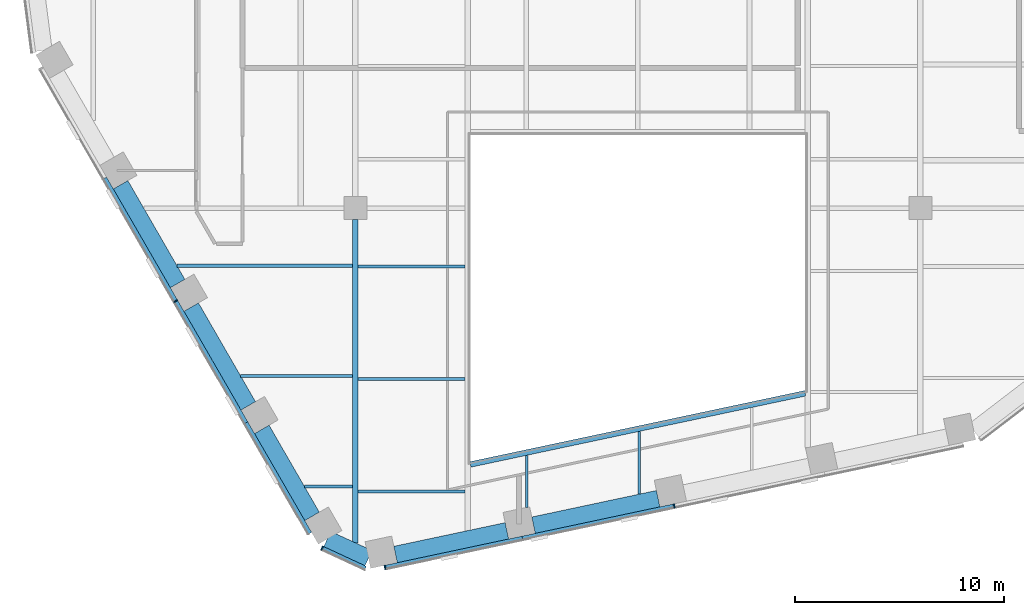
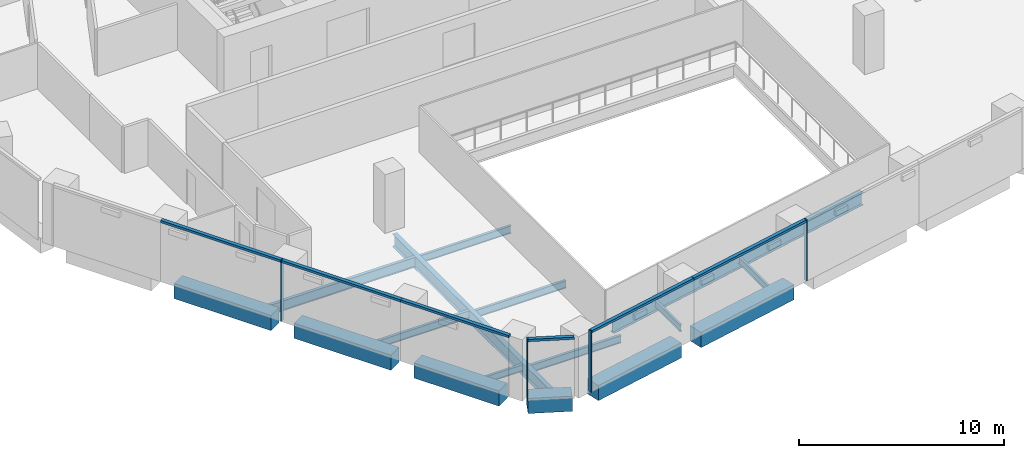
# One storey, part 2 of 17: 16 beams, 10 members, 3 elements without a shape of their own.
"""IFC4 building model written with IfcOpenShell, lengths in metres."""

from ifc_helpers import new_model, si_unit, direction, frame, origin, origin_2d, place, context, subcontext, project, spatial, rectangle, i_section, extrude, material, layer, layer_set, material_profile, profile_set, type_object, element, aggregate, save


model = new_model("IFC4")

# Units and contexts
model_context = context("Model", 3, precision=1e-05, world=origin(), true_north=direction((0.0, 1.0)))
body_context = subcontext(model_context, "Body", "Model", "MODEL_VIEW")
ifc_project = project(units=[si_unit("LENGTHUNIT", "METRE"), si_unit("AREAUNIT", "SQUARE_METRE"), si_unit("VOLUMEUNIT", "CUBIC_METRE"), si_unit("PLANEANGLEUNIT", "RADIAN"), si_unit("MASSUNIT", "GRAM", prefix="KILO")], contexts=[model_context])

# Site, building, storey
site_placement = place(None, origin())
site = spatial("IfcSite", under=ifc_project, at=site_placement, CompositionType="ELEMENT")
building_placement = place(site_placement, origin())
building = spatial("IfcBuilding", under=site, at=building_placement, Name="Isthmus Gate Tower", CompositionType="ELEMENT")
storey_placement = place(building_placement, frame((0.0, 0.0, 200.0)))
storey = spatial("IfcBuildingStorey", under=building, at=storey_placement, Name="L50", CompositionType="ELEMENT", Elevation=200.0)

# Curtain wall, member
ifc_material_1 = material(Name="Aluminium, pale champagne anodised", Category="aluminium")
ifc_layer = layer(ifc_material_1, 0.199951171875)
ifc_layer_set = layer_set([ifc_layer], Name="CW-1 UNITISED CURTAIN WALL 200 DEEP")
curtain_wall_type = type_object("IfcCurtainWallType", Name="CW-1 UNITISED CURTAIN WALL 200 DEEP", PredefinedType="NOTDEFINED", material=ifc_layer_set)
curtain_wall_1_placement = place(storey_placement, origin())
curtain_wall_1 = element("IfcCurtainWall", 1, at=curtain_wall_1_placement, inside=storey, type_object=curtain_wall_type, Name="CW-1 SW L50", PredefinedType="NOTDEFINED")
ifc_material_2 = material(Name="Aluminium, pale champagne anodised", Category="aluminium")
ifc_material_profile_1 = material_profile(ifc_material_2, rectangle(XDim=0.06005859375, YDim=0.199951171875, at=origin_2d()), Name="60x200")
ifc_profile_set_1 = profile_set([ifc_material_profile_1], Name="Aluminium, pale champagne anodised")
member_type_1 = type_object("IfcMemberType", Name="CW-1 MULLION 60 X 200", PredefinedType="MULLION", material=ifc_profile_set_1)
member_1_placement = place(storey_placement, frame((-22.08935546875, -17.93994140625, 0.0), z_axis=(0.0, 0.0, 1.0), x_axis=(0.5, -0.866025403784, 0.0)))
member_1 = element("IfcMember", 2, at=member_1_placement, type_object=member_type_1, Name="CW-1 mullion", PredefinedType="MULLION", context=body_context, shape_type="SweptSolid", body=[
    extrude(rectangle(XDim=0.06005859375, YDim=0.199951171875, at=origin_2d()), origin(), (0.0, 0.0, 1.0), 3.64990234375),
])

curtain_wall_2_placement = place(storey_placement, origin())
curtain_wall_2 = element("IfcCurtainWall", 3, at=curtain_wall_2_placement, inside=storey, type_object=curtain_wall_type, Name="CW-1 SW-S L50", PredefinedType="NOTDEFINED")
member_2_placement = place(storey_placement, frame((-15.091064453125, -29.74755859375, 0.0), z_axis=(0.0, 0.0, 1.0), x_axis=(0.907256261367, -0.420578264073, 0.0)))
member_2 = element("IfcMember", 4, at=member_2_placement, type_object=member_type_1, Name="CW-1 mullion", PredefinedType="MULLION", context=body_context, shape_type="SweptSolid", body=[
    extrude(rectangle(XDim=0.06005859375, YDim=0.199951171875, at=origin_2d()), origin(), (0.0, 0.0, 1.0), 3.64990234375),
])

# Curtain wall, members
curtain_wall_3_placement = place(storey_placement, origin())
curtain_wall_3 = element("IfcCurtainWall", 5, at=curtain_wall_3_placement, inside=storey, type_object=curtain_wall_type, Name="CW-1 S L50", PredefinedType="NOTDEFINED")
member_3_placement = place(storey_placement, frame((-12.082763671875, -30.67041015625, 0.0), z_axis=(0.0, 0.0, 1.0), x_axis=(0.978147600734, 0.207911690818, 0.0)))
member_3 = element("IfcMember", 6, at=member_3_placement, type_object=member_type_1, Name="CW-1 mullion", PredefinedType="MULLION", context=body_context, shape_type="SweptSolid", body=[
    extrude(rectangle(XDim=0.06005859375, YDim=0.199951171875, at=origin_2d()), origin(), (0.0, 0.0, 1.0), 3.64990234375),
])
member_4_placement = place(storey_placement, frame((1.740234375, -27.732421875, 0.0), z_axis=(0.0, 0.0, 1.0), x_axis=(0.978147600734, 0.207911690818, 0.0)))
member_4 = element("IfcMember", 7, at=member_4_placement, type_object=member_type_1, Name="CW-1 mullion", PredefinedType="MULLION", context=body_context, shape_type="SweptSolid", body=[
    extrude(rectangle(XDim=0.06005859375, YDim=0.199951171875, at=origin_2d()), origin(), (0.0, 0.0, 1.0), 3.64990234375),
])

# Member
ifc_material_3 = material(Name="Aluminium, pale champagne anodised", Category="aluminium")
ifc_material_profile_2 = material_profile(ifc_material_3, rectangle(XDim=0.199951171875, YDim=0.139892578125, at=origin_2d()), Name="200x140")
ifc_profile_set_2 = profile_set([ifc_material_profile_2], Name="Aluminium, pale champagne anodised")
member_type_2 = type_object("IfcMemberType", Name="CW-1 TRANSOM 200 X 140", PredefinedType="USERDEFINED", material=ifc_profile_set_2)
member_5_placement = place(storey_placement, frame((-25.4794921875, -12.068115234375, 3.580078125), z_axis=(0.49998230858, -0.86603561769, 0.0), x_axis=(0.86603561769, 0.49998230858, 0.0)))
member_5 = element("IfcMember", 8, at=member_5_placement, type_object=member_type_2, Name="CW-1 transom", ObjectType="TRANSOM", PredefinedType="USERDEFINED", context=body_context, shape_type="SweptSolid", body=[
    extrude(rectangle(XDim=0.199951171875, YDim=0.139892578125, at=origin_2d()), origin(), (0.0, 0.0, 1.0), 6.750244140625),
])

member_6_placement = place(storey_placement, frame((-22.074462890625, -17.9658203125, 3.580078125), z_axis=(0.499981482168, -0.866036094796, 0.0), x_axis=(0.866036094796, 0.499981482168, 0.0)))
member_6 = element("IfcMember", 9, at=member_6_placement, type_object=member_type_2, Name="CW-1 transom", ObjectType="TRANSOM", PredefinedType="USERDEFINED", context=body_context, shape_type="SweptSolid", body=[
    extrude(rectangle(XDim=0.199951171875, YDim=0.139892578125, at=origin_2d()), origin(), (0.0, 0.0, 1.0), 6.690185546875),
])

member_7_placement = place(storey_placement, frame((-18.7294921875, -23.759765625, 3.580078125), z_axis=(0.499991521122, -0.866030299012, 0.0), x_axis=(0.866030299012, 0.499991521122, 0.0)))
member_7 = element("IfcMember", 10, at=member_7_placement, type_object=member_type_2, Name="CW-1 transom", ObjectType="TRANSOM", PredefinedType="USERDEFINED", context=body_context, shape_type="SweptSolid", body=[
    extrude(rectangle(XDim=0.199951171875, YDim=0.139892578125, at=origin_2d()), origin(), (0.0, 0.0, 1.0), 6.10009765625),
])

aggregate(curtain_wall_1, [member_5, member_1, member_6, member_7])

member_8_placement = place(storey_placement, frame((-15.06396484375, -29.76025390625, 3.580078125), z_axis=(0.907246225564, -0.420599912268, 0.0), x_axis=(0.420599912268, 0.907246225564, 0.0)))
member_8 = element("IfcMember", 11, at=member_8_placement, type_object=member_type_2, Name="CW-1 transom", ObjectType="TRANSOM", PredefinedType="USERDEFINED", context=body_context, shape_type="SweptSolid", body=[
    extrude(rectangle(XDim=0.199951171875, YDim=0.139892578125, at=origin_2d()), origin(), (0.0, 0.0, 1.0), 2.258544921875),
])

aggregate(curtain_wall_2, [member_2, member_8])

member_9_placement = place(storey_placement, frame((-12.05322265625, -30.664306640625, 3.580078125), z_axis=(0.97814231579, 0.207936552972, 0.0), x_axis=(-0.207936552972, 0.97814231579, 0.0)))
member_9 = element("IfcMember", 12, at=member_9_placement, type_object=member_type_2, Name="CW-1 transom", ObjectType="TRANSOM", PredefinedType="USERDEFINED", context=body_context, shape_type="SweptSolid", body=[
    extrude(rectangle(XDim=0.199951171875, YDim=0.139892578125, at=origin_2d()), origin(), (0.0, 0.0, 1.0), 6.6806640625),
])

member_10_placement = place(storey_placement, frame((-5.5185546875, -29.275146484375, 3.580078125), z_axis=(0.978147683684, 0.207911300568, 0.0), x_axis=(-0.207911300568, 0.978147683684, 0.0)))
member_10 = element("IfcMember", 13, at=member_10_placement, type_object=member_type_2, Name="CW-1 transom", ObjectType="TRANSOM", PredefinedType="USERDEFINED", context=body_context, shape_type="SweptSolid", body=[
    extrude(rectangle(XDim=0.199951171875, YDim=0.139892578125, at=origin_2d()), origin(), (0.0, 0.0, 1.0), 7.390869140625),
])

aggregate(curtain_wall_3, [member_3, member_9, member_10, member_4])

# Beams
ifc_material_4 = material(Name="Concrete f'c 60 MPa", Category="concrete")
ifc_material_profile_3 = material_profile(ifc_material_4, rectangle(XDim=0.800048828125, YDim=0.89990234375, at=origin_2d()), Name="RC 800X900")
ifc_profile_set_3 = profile_set([ifc_material_profile_3], Name="Concrete f'c 60 MPa")
beam_type_1 = type_object("IfcBeamType", Name="RC SPANDREL 800 X 900", PredefinedType="SPANDREL", material=ifc_profile_set_3)
beam_1_placement = place(storey_placement, frame((0.970947265625, -27.384765625, -0.449951171875), z_axis=(-0.978146012851, -0.207919161079, 0.0), x_axis=(0.207919161079, -0.978146012851, 0.0)))
element("IfcBeam", 14, at=beam_1_placement, inside=storey, type_object=beam_type_1, Name="str-spandrel-L50-13", PredefinedType="SPANDREL", context=body_context, shape_type="SweptSolid", body=[
    extrude(rectangle(XDim=0.800048828125, YDim=0.89990234375, at=origin_2d()), origin(), (0.0, 0.0, 1.0), 6.090576171875),
])
beam_2_placement = place(storey_placement, frame((-6.25830078125, -28.92138671875, -0.449951171875), z_axis=(-0.978150410773, -0.207898470186, 0.0), x_axis=(0.207898470186, -0.978150410773, 0.0)))
element("IfcBeam", 15, at=beam_2_placement, inside=storey, type_object=beam_type_1, Name="str-spandrel-L50-14", PredefinedType="SPANDREL", context=body_context, shape_type="SweptSolid", body=[
    extrude(rectangle(XDim=0.800048828125, YDim=0.89990234375, at=origin_2d()), origin(), (0.0, 0.0, 1.0), 5.440673828125),
])
beam_3_placement = place(storey_placement, frame((-12.87255859375, -30.224853515625, -0.449951171875), z_axis=(-0.907290744498, 0.420503870314, 0.0), x_axis=(-0.420503870314, -0.907290744498, 0.0)))
element("IfcBeam", 16, at=beam_3_placement, inside=storey, type_object=beam_type_1, Name="str-spandrel-L50-15", PredefinedType="SPANDREL", context=body_context, shape_type="SweptSolid", body=[
    extrude(rectangle(XDim=0.800048828125, YDim=0.89990234375, at=origin_2d()), origin(), (0.0, 0.0, 1.0), 2.173095703125),
])
beam_4_placement = place(storey_placement, frame((-15.5712890625, -28.229736328125, -0.449951171875), z_axis=(-0.500017431331, 0.866015339567, 0.0), x_axis=(-0.866015339567, -0.500017431331, 0.0)))
element("IfcBeam", 17, at=beam_4_placement, inside=storey, type_object=beam_type_1, Name="str-spandrel-L50-16", PredefinedType="SPANDREL", context=body_context, shape_type="SweptSolid", body=[
    extrude(rectangle(XDim=0.800048828125, YDim=0.89990234375, at=origin_2d()), origin(), (0.0, 0.0, 1.0), 4.800048828125),
])
for number, where, z_axis, x_axis, name in (
    (18, (-18.621337890625, -22.94677734375, -0.449951171875), (-0.500002931134, 0.866023711487, 0.0), (-0.866023711487, -0.500002931134, 0.0), "str-spandrel-L50-17"),
    (19, (-21.996337890625, -17.10107421875, -0.449951171875), (-0.500002931134, 0.866023711487, 0.0), (-0.866023711487, -0.500002931134, 0.0), "str-spandrel-L50-18"),
):
    element("IfcBeam", number, at=place(storey_placement, frame(where, z_axis=z_axis, x_axis=x_axis)), inside=storey, type_object=beam_type_1, Name=name, PredefinedType="SPANDREL", context=body_context, shape_type="SweptSolid", body=[
        extrude(rectangle(XDim=0.800048828125, YDim=0.89990234375, at=origin_2d()), origin(), (0.0, 0.0, 1.0), 5.4501953125),
    ])
ifc_material_5 = material(Name="Structural steel ASTM A992 Gr 50", Category="steel")
ifc_material_profile_4 = material_profile(ifc_material_5, i_section(OverallWidth=0.1396484375, OverallDepth=0.4033203125, WebThickness=0.00634765625, FlangeThickness=0.010986328125, at=origin_2d()), Name="W16X31")
ifc_profile_set_4 = profile_set([ifc_material_profile_4], Name="Structural steel ASTM A992 Gr 50")
beam_type_2 = type_object("IfcBeamType", Name="STEEL FLOOR BEAM W16X31", PredefinedType="JOIST", material=ifc_profile_set_4)
beam_5_placement = place(storey_placement, frame((-15.937744140625, -26.795166015625, -0.3515625), z_axis=(1.0, 0.0, 0.0), x_axis=(0.0, 1.0, 0.0)))
element("IfcBeam", 20, at=beam_5_placement, inside=storey, type_object=beam_type_2, Name="str-beam-L50-02-00", PredefinedType="JOIST", context=body_context, shape_type="SweptSolid", body=[
    extrude(i_section(OverallWidth=0.1396484375, OverallDepth=0.4033203125, WebThickness=0.00634765625, FlangeThickness=0.010986328125, at=origin_2d()), origin(), (0.0, 0.0, 1.0), 2.304443359375),
])
beam_6_placement = place(storey_placement, frame((-5.311279296875, -27.7998046875, -0.3515625), z_axis=(0.0, 1.0, 0.0), x_axis=(-1.0, 0.0, 0.0)))
element("IfcBeam", 21, at=beam_6_placement, inside=storey, type_object=beam_type_2, Name="str-beam-L50-07-00", PredefinedType="JOIST", context=body_context, shape_type="SweptSolid", body=[
    extrude(i_section(OverallWidth=0.1396484375, OverallDepth=0.4033203125, WebThickness=0.00634765625, FlangeThickness=0.010986328125, at=origin_2d()), origin(), (0.0, 0.0, 1.0), 2.487548828125),
])
beam_7_placement = place(storey_placement, frame((0.06591796875, -27.168212890625, -0.3515625), z_axis=(0.0, 1.0, 0.0), x_axis=(-1.0, 0.0, 0.0)))
element("IfcBeam", 22, at=beam_7_placement, inside=storey, type_object=beam_type_2, Name="str-beam-L50-07-01", PredefinedType="JOIST", context=body_context, shape_type="SweptSolid", body=[
    extrude(i_section(OverallWidth=0.1396484375, OverallDepth=0.4033203125, WebThickness=0.00634765625, FlangeThickness=0.010986328125, at=origin_2d()), origin(), (0.0, 0.0, 1.0), 2.9990234375),
])
ifc_material_6 = material(Name="Structural steel ASTM A992 Gr 50", Category="steel")
ifc_material_profile_5 = material_profile(ifc_material_6, i_section(OverallWidth=0.15234375, OverallDepth=0.45068359375, WebThickness=0.0078125, FlangeThickness=0.010986328125, at=origin_2d()), Name="W18X35")
ifc_profile_set_5 = profile_set([ifc_material_profile_5], Name="Structural steel ASTM A992 Gr 50")
beam_type_3 = type_object("IfcBeamType", Name="STEEL FLOOR BEAM W18X35", PredefinedType="JOIST", material=ifc_profile_set_5)
beam_8_placement = place(storey_placement, frame((-18.981689453125, -21.52294921875, -0.37548828125), z_axis=(1.0, 0.0, 0.0), x_axis=(0.0, 1.0, 0.0)))
element("IfcBeam", 23, at=beam_8_placement, inside=storey, type_object=beam_type_3, Name="str-beam-L50-02-01", PredefinedType="JOIST", context=body_context, shape_type="SweptSolid", body=[
    extrude(i_section(OverallWidth=0.15234375, OverallDepth=0.45068359375, WebThickness=0.0078125, FlangeThickness=0.010986328125, at=origin_2d()), origin(), (0.0, 0.0, 1.0), 5.348388671875),
])
for number, where, z_axis, x_axis, name in (
    (24, (-13.36669921875, -27.04736328125, -0.37548828125), (1.0, 0.0, 0.0), (0.0, 1.0, 0.0), "str-beam-L50-03-00"),
    (25, (-13.36669921875, -21.67041015625, -0.37548828125), (1.0, 0.0, 0.0), (0.0, 1.0, 0.0), "str-beam-L50-03-01"),
    (26, (-13.36669921875, -16.293212890625, -0.37548828125), (1.0, 0.0, 0.0), (0.0, 1.0, 0.0), "str-beam-L50-03-02"),
):
    element("IfcBeam", number, at=place(storey_placement, frame(where, z_axis=z_axis, x_axis=x_axis)), inside=storey, type_object=beam_type_3, Name=name, PredefinedType="JOIST", context=body_context, shape_type="SweptSolid", body=[
        extrude(i_section(OverallWidth=0.15234375, OverallDepth=0.45068359375, WebThickness=0.0078125, FlangeThickness=0.010986328125, at=origin_2d()), origin(), (0.0, 0.0, 1.0), 5.10009765625),
    ])
ifc_material_7 = material(Name="Structural steel ASTM A992 Gr 50", Category="steel")
ifc_material_profile_6 = material_profile(ifc_material_7, i_section(OverallWidth=0.177734375, OverallDepth=0.60009765625, WebThickness=0.009521484375, FlangeThickness=0.0126953125, at=origin_2d()), Name="W24X55")
ifc_profile_set_6 = profile_set([ifc_material_profile_6], Name="Structural steel ASTM A992 Gr 50")
beam_type_4 = type_object("IfcBeamType", Name="STEEL FLOOR BEAM W24X55", PredefinedType="JOIST", material=ifc_profile_set_6)
beam_9_placement = place(storey_placement, frame((-22.025634765625, -16.25048828125, -0.449951171875), z_axis=(1.0, 0.0, 0.0), x_axis=(0.0, 1.0, 0.0)))
element("IfcBeam", 27, at=beam_9_placement, inside=storey, type_object=beam_type_4, Name="str-beam-L50-02-02", PredefinedType="JOIST", context=body_context, shape_type="SweptSolid", body=[
    extrude(i_section(OverallWidth=0.177734375, OverallDepth=0.60009765625, WebThickness=0.009521484375, FlangeThickness=0.0126953125, at=origin_2d()), origin(), (0.0, 0.0, 1.0), 8.392333984375),
])
ifc_material_8 = material(Name="Structural steel ASTM A992 Gr 50", Category="steel")
ifc_material_profile_7 = material_profile(ifc_material_8, i_section(OverallWidth=0.2666015625, OverallDepth=0.7587890625, WebThickness=0.014404296875, FlangeThickness=0.01904296875, at=origin_2d()), Name="W30X108")
ifc_profile_set_7 = profile_set([ifc_material_profile_7], Name="Structural steel ASTM A992 Gr 50")
beam_type_5 = type_object("IfcBeamType", Name="STEEL GIRDER W30X108", PredefinedType="BEAM", material=ifc_profile_set_7)
beam_10_placement = place(storey_placement, frame((-13.5, -29.4931640625, -0.529296875), z_axis=(0.0, 1.0, 0.0), x_axis=(-1.0, 0.0, 0.0)))
element("IfcBeam", 28, at=beam_10_placement, inside=storey, type_object=beam_type_5, Name="str-girder-L50-07", PredefinedType="BEAM", context=body_context, shape_type="SweptSolid", body=[
    extrude(i_section(OverallWidth=0.2666015625, OverallDepth=0.7587890625, WebThickness=0.014404296875, FlangeThickness=0.01904296875, at=origin_2d()), origin(), (0.0, 0.0, 1.0), 15.443115234375),
])
ifc_material_9 = material(Name="Structural steel ASTM A992 Gr 50", Category="steel")
ifc_material_profile_8 = material_profile(ifc_material_9, i_section(OverallWidth=0.2666015625, OverallDepth=0.7587890625, WebThickness=0.014404296875, FlangeThickness=0.01904296875, at=origin_2d()), Name="W30X108")
ifc_profile_set_8 = profile_set([ifc_material_profile_8], Name="Structural steel ASTM A992 Gr 50")
beam_type_6 = type_object("IfcBeamType", Name="STEEL TRIMMER W30X108", PredefinedType="BEAM", material=ifc_profile_set_8)
beam_11_placement = place(storey_placement, frame((-8.0, -25.747314453125, -0.529296875), z_axis=(0.978147924985, 0.20791016533, 0.0), x_axis=(-0.20791016533, 0.978147924985, 0.0)))
element("IfcBeam", 29, at=beam_11_placement, inside=storey, type_object=beam_type_6, Name="str-trimmer-L50-03", PredefinedType="BEAM", context=body_context, shape_type="SweptSolid", body=[
    extrude(i_section(OverallWidth=0.2666015625, OverallDepth=0.7587890625, WebThickness=0.014404296875, FlangeThickness=0.01904296875, at=origin_2d()), origin(), (0.0, 0.0, 1.0), 16.357421875),
])

save(model, "model.ifc")
